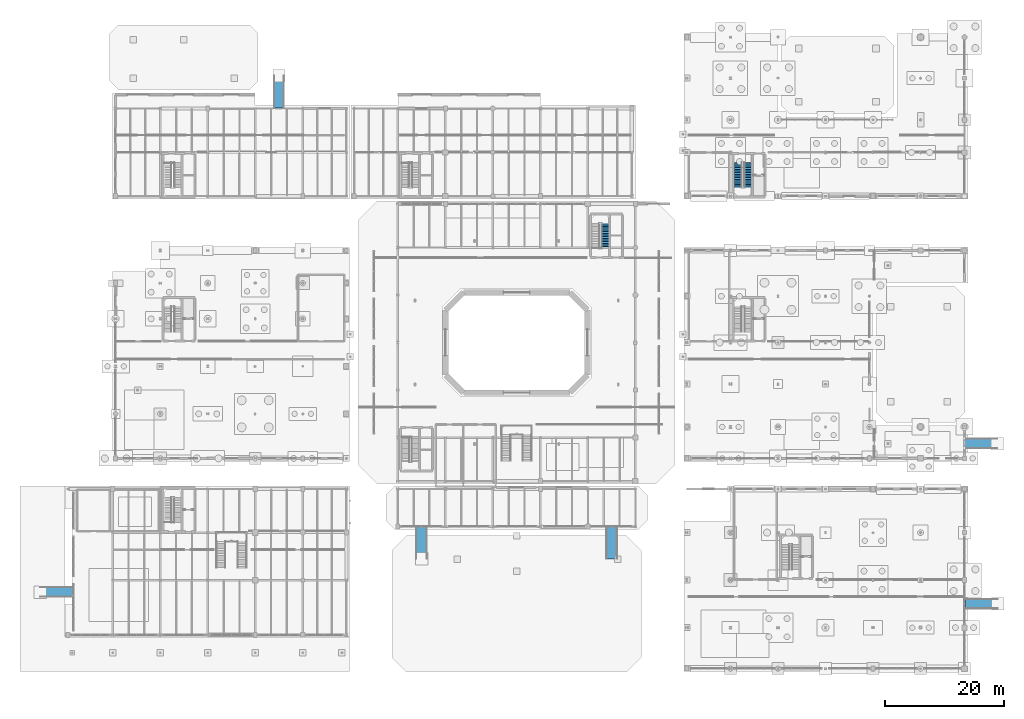
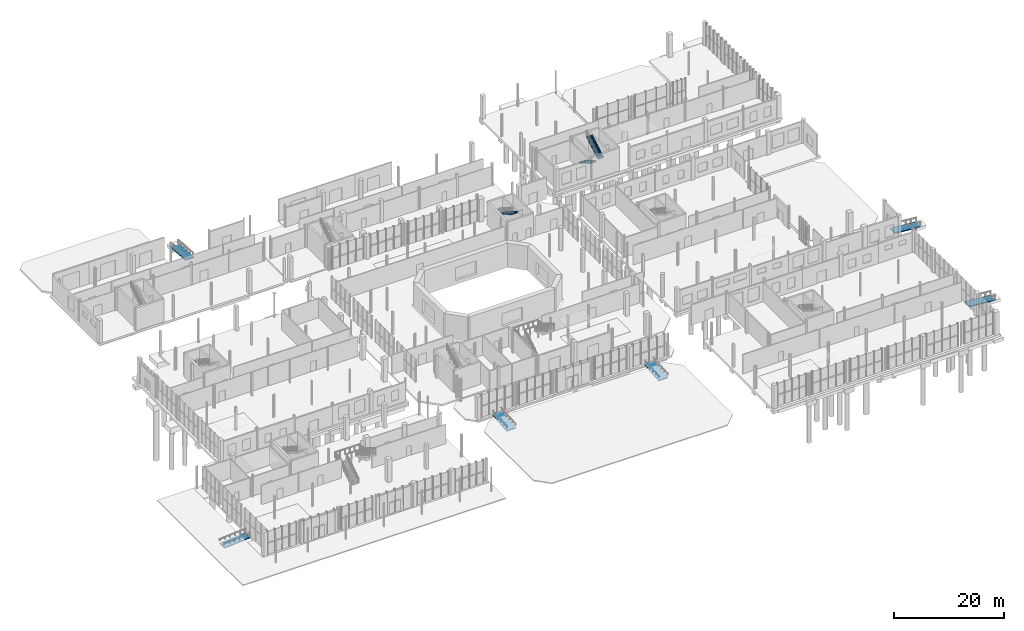
# One storey, part 76 of 87: 6 ramp flights, 3 stair flights, 8 elements without a shape of their own.
"""IFC4 building model written with IfcOpenShell, lengths in metres."""

from ifc_helpers import new_model, si_unit, direction, frame, origin, place, context, subcontext, project, spatial, polyline, outline, extrude, material, layer, layer_set, type_object, element, aggregate, save


model = new_model("IFC4")

# Units and contexts
model_context = context("Model", 3, precision=1e-05, world=origin(), true_north=direction((0.0, 1.0)))
body_context = subcontext(model_context, "Body", "Model", "MODEL_VIEW")
ifc_project = project(units=[si_unit("LENGTHUNIT", "METRE"), si_unit("AREAUNIT", "SQUARE_METRE"), si_unit("VOLUMEUNIT", "CUBIC_METRE"), si_unit("PLANEANGLEUNIT", "RADIAN"), si_unit("MASSUNIT", "GRAM", prefix="KILO")], contexts=[model_context])

# Site, building, storey
site_placement = place(None, origin())
site = spatial("IfcSite", under=ifc_project, at=site_placement, CompositionType="ELEMENT")
building_placement = place(site_placement, origin())
building = spatial("IfcBuilding", under=site, at=building_placement, Name="Brisemont Oceanarium", CompositionType="ELEMENT")
storey_placement = place(building_placement, origin())
storey = spatial("IfcBuildingStorey", under=building, at=storey_placement, Name="L00", CompositionType="ELEMENT", Elevation=0.0)

# Stair, stair flight
ifc_material_1 = material(Name="Concrete C40/50", Category="concrete")
stair_type = type_object("IfcStairType", Name="STR-CORE-124-54", PredefinedType="HALF_TURN_STAIR", material=ifc_material_1)
stair_1_placement = place(storey_placement, origin())
stair_1 = element("IfcStair", 1, at=stair_1_placement, inside=storey, type_object=stair_type, Name="Exit stair ST-02 L00 to L01", PredefinedType="HALF_TURN_STAIR")
ifc_material_2 = material(Name="Concrete C40/50", Category="concrete")
stair_flight_type = type_object("IfcStairFlightType", Name="FLT-CORE-124-54", PredefinedType="STRAIGHT", material=ifc_material_2)
stair_flight_1_placement = place(storey_placement, frame((98.929931640625, 76.10009765625, 2.699951171875), z_axis=(0.0, 0.0, 1.0), x_axis=(0.0, -1.0, 0.0)))
stair_flight_1 = element("IfcStairFlight", 2, at=stair_flight_1_placement, type_object=stair_flight_type, Name="ST-02 L00 upper flight", NumberOfRisers=16, NumberOfTreads=15, PredefinedType="STRAIGHT", RiserHeight=0.16875, TreadLength=0.283333, context=body_context, shape_type="SweptSolid", body=[
    extrude(outline(polyline([(0.0, 0.0), (0.0, 0.168701171875), (0.283447265625, 0.168701171875), (0.283447265625, 0.33740234375), (0.566650390625, 0.33740234375), (0.566650390625, 0.50634765625), (0.85009765625, 0.50634765625), (0.85009765625, 0.675048828125), (1.13330078125, 0.675048828125), (1.13330078125, 0.84375), (1.416748046875, 0.84375), (1.416748046875, 1.012451171875), (1.699951171875, 1.012451171875), (1.699951171875, 1.18115234375), (1.9833984375, 1.18115234375), (1.9833984375, 1.35009765625), (2.2666015625, 1.35009765625), (2.2666015625, 1.518798828125), (2.550048828125, 1.518798828125), (2.550048828125, 1.6875), (2.833251953125, 1.6875), (2.833251953125, 1.856201171875), (3.11669921875, 1.856201171875), (3.11669921875, 2.02490234375), (3.39990234375, 2.02490234375), (3.39990234375, 2.19384765625), (3.683349609375, 2.19384765625), (3.683349609375, 2.362548828125), (3.966552734375, 2.362548828125), (3.966552734375, 2.53125), (4.25, 2.53125), (4.25, 2.699951171875), (4.25, 2.275146484375), (0.429931640625, 0.0), (0.0, 0.0)])), frame((0.0, 0.6201171875, 0.0), z_axis=(0.0, -1.0, 0.0), x_axis=(1.0, 0.0, 0.0)), (0.0, 0.0, 1.0), 1.239990234375),
])
aggregate(stair_1, [stair_flight_1])

# Stair, stair flights
stair_2_placement = place(storey_placement, origin())
stair_2 = element("IfcStair", 3, at=stair_2_placement, inside=storey, type_object=stair_type, Name="Exit stair ST-07 L00 to L01", PredefinedType="HALF_TURN_STAIR")
stair_flight_2_placement = place(storey_placement, frame((121.330078125, 86.300048828125, 0.0), z_axis=(0.0, 0.0, 1.0), x_axis=(0.0, -1.0, 0.0)))
stair_flight_2 = element("IfcStairFlight", 4, at=stair_flight_2_placement, type_object=stair_flight_type, Name="ST-07 L00 lower flight", NumberOfRisers=16, NumberOfTreads=15, PredefinedType="STRAIGHT", RiserHeight=0.16875, TreadLength=0.283333, context=body_context, shape_type="SweptSolid", body=[
    extrude(outline(polyline([(0.0, 0.0), (0.0, 0.168701171875), (0.283447265625, 0.168701171875), (0.283447265625, 0.33740234375), (0.566650390625, 0.33740234375), (0.566650390625, 0.50634765625), (0.85009765625, 0.50634765625), (0.85009765625, 0.675048828125), (1.13330078125, 0.675048828125), (1.13330078125, 0.84375), (1.416748046875, 0.84375), (1.416748046875, 1.012451171875), (1.699951171875, 1.012451171875), (1.699951171875, 1.18115234375), (1.9833984375, 1.18115234375), (1.9833984375, 1.35009765625), (2.2666015625, 1.35009765625), (2.2666015625, 1.518798828125), (2.550048828125, 1.518798828125), (2.550048828125, 1.6875), (2.833251953125, 1.6875), (2.833251953125, 1.856201171875), (3.11669921875, 1.856201171875), (3.11669921875, 2.02490234375), (3.39990234375, 2.02490234375), (3.39990234375, 2.19384765625), (3.683349609375, 2.19384765625), (3.683349609375, 2.362548828125), (3.966552734375, 2.362548828125), (3.966552734375, 2.53125), (4.25, 2.53125), (4.25, 2.699951171875), (4.25, 2.275146484375), (0.429931640625, 0.0), (0.0, 0.0)])), frame((0.0, 0.6201171875, 0.0), z_axis=(0.0, -1.0, 0.0), x_axis=(1.0, 0.0, 0.0)), (0.0, 0.0, 1.0), 1.239990234375),
])
stair_flight_3_placement = place(storey_placement, frame((122.929931640625, 82.050048828125, 2.699951171875), z_axis=(0.0, 0.0, 1.0), x_axis=(0.0, 1.0, 0.0)))
stair_flight_3 = element("IfcStairFlight", 5, at=stair_flight_3_placement, type_object=stair_flight_type, Name="ST-07 L00 upper flight", NumberOfRisers=16, NumberOfTreads=15, PredefinedType="STRAIGHT", RiserHeight=0.16875, TreadLength=0.283333, context=body_context, shape_type="SweptSolid", body=[
    extrude(outline(polyline([(0.0, 0.0), (0.0, 0.168701171875), (0.283447265625, 0.168701171875), (0.283447265625, 0.33740234375), (0.566650390625, 0.33740234375), (0.566650390625, 0.50634765625), (0.85009765625, 0.50634765625), (0.85009765625, 0.675048828125), (1.13330078125, 0.675048828125), (1.13330078125, 0.84375), (1.416748046875, 0.84375), (1.416748046875, 1.012451171875), (1.699951171875, 1.012451171875), (1.699951171875, 1.18115234375), (1.9833984375, 1.18115234375), (1.9833984375, 1.35009765625), (2.2666015625, 1.35009765625), (2.2666015625, 1.518798828125), (2.550048828125, 1.518798828125), (2.550048828125, 1.6875), (2.833251953125, 1.6875), (2.833251953125, 1.856201171875), (3.11669921875, 1.856201171875), (3.11669921875, 2.02490234375), (3.39990234375, 2.02490234375), (3.39990234375, 2.19384765625), (3.683349609375, 2.19384765625), (3.683349609375, 2.362548828125), (3.966552734375, 2.362548828125), (3.966552734375, 2.53125), (4.25, 2.53125), (4.25, 2.699951171875), (4.25, 2.275146484375), (0.429931640625, 0.0), (0.0, 0.0)])), frame((0.0, 0.6201171875, 0.0), z_axis=(0.0, -1.0, 0.0), x_axis=(1.0, 0.0, 0.0)), (0.0, 0.0, 1.0), 1.239990234375),
])
aggregate(stair_2, [stair_flight_2, stair_flight_3])

# Ramp, ramp flight
ifc_material_3 = material(Name="Concrete C40/50", Category="concrete")
ramp_type_1 = type_object("IfcRampType", Name="RMP-ACC-1800", PredefinedType="STRAIGHT_RUN_RAMP", material=ifc_material_3)
ramp_1_placement = place(storey_placement, origin())
ramp_1 = element("IfcRamp", 6, at=ramp_1_placement, inside=storey, type_object=ramp_type_1, Name="Accessible ramp RMP-01", PredefinedType="STRAIGHT_RUN_RAMP")
ifc_material_4 = material(Name="Concrete C40/50", Category="concrete")
ifc_layer_1 = layer(ifc_material_4, 0.219970703125)
ifc_layer_set_1 = layer_set([ifc_layer_1], Name="Concrete C40/50")
ramp_flight_type_1 = type_object("IfcRampFlightType", Name="RMF-ACC-1800", PredefinedType="STRAIGHT", material=ifc_layer_set_1)
ramp_flight_1_placement = place(storey_placement, frame((3.800048828125, 13.10009765625, -0.449951171875), z_axis=(-0.083038022323, 0.0, 0.996546379678), x_axis=(0.996546379678, 0.0, 0.083038022323)))
ramp_flight_1 = element("IfcRampFlight", 7, at=ramp_flight_1_placement, type_object=ramp_flight_type_1, Name="Accessible ramp flight RMP-01", PredefinedType="STRAIGHT", context=body_context, shape_type="SweptSolid", body=[
    extrude(outline(polyline([(0.0, 0.0), (5.418616186731482, 0.0), (5.418616186731482, 1.7998046874999998), (0.0, 1.7998046874999998), (0.0, 0.0)])), origin(), (0.0, 0.0, -1.0), 0.219970703125),
])
aggregate(ramp_1, [ramp_flight_1])

ramp_2_placement = place(storey_placement, origin())
ramp_2 = element("IfcRamp", 8, at=ramp_2_placement, inside=storey, type_object=ramp_type_1, Name="Accessible ramp RMP-04", PredefinedType="STRAIGHT_RUN_RAMP")
ramp_flight_2_placement = place(storey_placement, frame((165.0, 12.89990234375, -0.449951171875), z_axis=(0.083038022323, 0.0, 0.996546379678), x_axis=(-0.996546379678, 0.0, 0.083038022323)))
ramp_flight_2 = element("IfcRampFlight", 9, at=ramp_flight_2_placement, type_object=ramp_flight_type_1, Name="Accessible ramp flight RMP-04", PredefinedType="STRAIGHT", context=body_context, shape_type="SweptSolid", body=[
    extrude(outline(polyline([(0.0, 0.0), (5.418616186731482, 0.0), (5.418616186731482, 1.7998046874999998), (0.0, 1.7998046874999998), (0.0, 0.0)])), origin(), (0.0, 0.0, -1.0), 0.219970703125),
])
aggregate(ramp_2, [ramp_flight_2])

ramp_3_placement = place(storey_placement, origin())
ramp_3 = element("IfcRamp", 10, at=ramp_3_placement, inside=storey, type_object=ramp_type_1, Name="Accessible ramp RMP-05", PredefinedType="STRAIGHT_RUN_RAMP")
ramp_flight_3_placement = place(storey_placement, frame((164.89990234375, 39.89990234375, -0.449951171875), z_axis=(0.083038022323, 0.0, 0.996546379678), x_axis=(-0.996546379678, 0.0, 0.083038022323)))
ramp_flight_3 = element("IfcRampFlight", 11, at=ramp_flight_3_placement, type_object=ramp_flight_type_1, Name="Accessible ramp flight RMP-05", PredefinedType="STRAIGHT", context=body_context, shape_type="SweptSolid", body=[
    extrude(outline(polyline([(0.0, 0.0), (5.418616186731482, 0.0), (5.418616186731482, 1.7998046874999998), (0.0, 1.7998046874999998), (0.0, 0.0)])), origin(), (0.0, 0.0, -1.0), 0.219970703125),
])
aggregate(ramp_3, [ramp_flight_3])

ramp_4_placement = place(storey_placement, origin())
ramp_4 = element("IfcRamp", 12, at=ramp_4_placement, inside=storey, type_object=ramp_type_1, Name="Accessible ramp RMP-06", PredefinedType="STRAIGHT_RUN_RAMP")
ramp_flight_4_placement = place(storey_placement, frame((43.10009765625, 100.89990234375, -0.449951171875), z_axis=(0.0, 0.083038022323, 0.996546379678), x_axis=(0.0, -0.996546379678, 0.083038022323)))
ramp_flight_4 = element("IfcRampFlight", 13, at=ramp_flight_4_placement, type_object=ramp_flight_type_1, Name="Accessible ramp flight RMP-06", PredefinedType="STRAIGHT", context=body_context, shape_type="SweptSolid", body=[
    extrude(outline(polyline([(0.0, 0.0), (5.418616186731482, 0.0), (5.418616186731482, 1.7998046874999998), (0.0, 1.7998046874999998), (0.0, 0.0)])), origin(), (0.0, 0.0, -1.0), 0.219970703125),
])
aggregate(ramp_4, [ramp_flight_4])

ifc_material_5 = material(Name="Concrete C40/50", Category="concrete")
ramp_type_2 = type_object("IfcRampType", Name="RMP-ACC-2000", PredefinedType="STRAIGHT_RUN_RAMP", material=ifc_material_5)
ramp_5_placement = place(storey_placement, origin())
ramp_5 = element("IfcRamp", 14, at=ramp_5_placement, inside=storey, type_object=ramp_type_2, Name="Accessible ramp RMP-02", PredefinedType="STRAIGHT_RUN_RAMP")
ifc_material_6 = material(Name="Concrete C40/50", Category="concrete")
ifc_layer_2 = layer(ifc_material_6, 0.219970703125)
ifc_layer_set_2 = layer_set([ifc_layer_2], Name="Concrete C40/50")
ramp_flight_type_2 = type_object("IfcRampFlightType", Name="RMF-ACC-2000", PredefinedType="STRAIGHT", material=ifc_layer_set_2)
ramp_flight_5_placement = place(storey_placement, frame((69.0, 19.60009765625, -0.449951171875), z_axis=(0.0, -0.083038022323, 0.996546379678), x_axis=(0.0, 0.996546379678, 0.083038022323)))
ramp_flight_5 = element("IfcRampFlight", 15, at=ramp_flight_5_placement, type_object=ramp_flight_type_2, Name="Accessible ramp flight RMP-02", PredefinedType="STRAIGHT", context=body_context, shape_type="SweptSolid", body=[
    extrude(outline(polyline([(0.0, 0.0), (5.418616186731482, 0.0), (5.418616186731482, 2.0), (0.0, 2.0), (0.0, 0.0)])), origin(), (0.0, 0.0, -1.0), 0.219970703125),
])
aggregate(ramp_5, [ramp_flight_5])

ramp_6_placement = place(storey_placement, origin())
ramp_6 = element("IfcRamp", 16, at=ramp_6_placement, inside=storey, type_object=ramp_type_2, Name="Accessible ramp RMP-03", PredefinedType="STRAIGHT_RUN_RAMP")
ramp_flight_6_placement = place(storey_placement, frame((101.0, 19.60009765625, -0.449951171875), z_axis=(0.0, -0.083038022323, 0.996546379678), x_axis=(0.0, 0.996546379678, 0.083038022323)))
ramp_flight_6 = element("IfcRampFlight", 17, at=ramp_flight_6_placement, type_object=ramp_flight_type_2, Name="Accessible ramp flight RMP-03", PredefinedType="STRAIGHT", context=body_context, shape_type="SweptSolid", body=[
    extrude(outline(polyline([(0.0, 0.0), (5.418616186731482, 0.0), (5.418616186731482, 2.0), (0.0, 2.0), (0.0, 0.0)])), origin(), (0.0, 0.0, -1.0), 0.219970703125),
])
aggregate(ramp_6, [ramp_flight_6])

save(model, "model.ifc")
